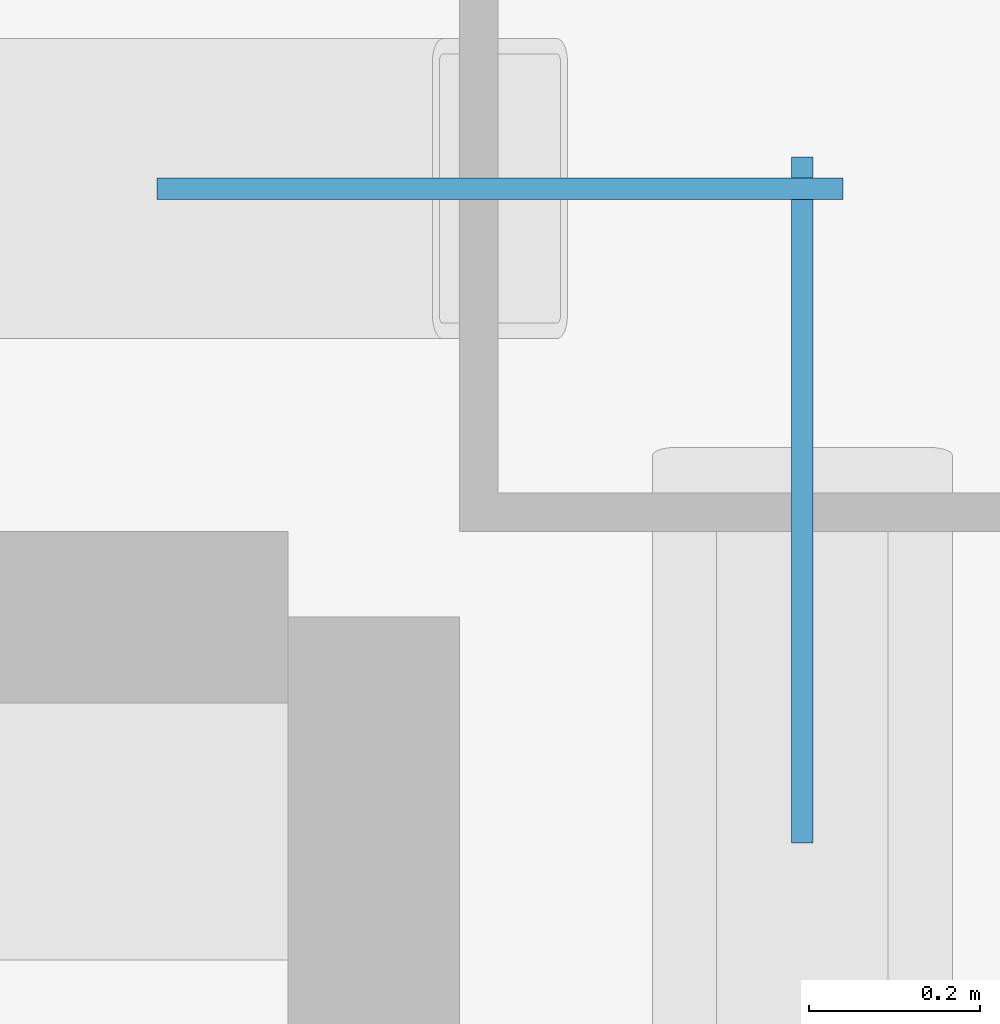
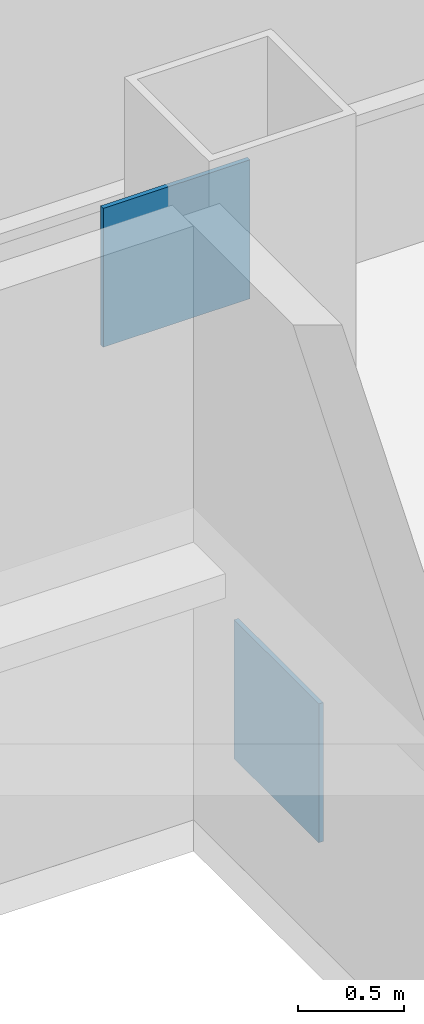
# One storey, part 24 of 26: 2 discrete accessories.
"""IFC4 building model written with IfcOpenShell, lengths in metres."""

from ifc_helpers import new_model, si_unit, direction, frame, origin, origin_2d, place, context, subcontext, project, spatial, rectangle, extrude, material, layer, layer_set, type_object, element, save


model = new_model("IFC4")

# Units and contexts
model_context = context("Model", 3, precision=1e-05, world=origin(), true_north=direction((0.0, 1.0)))
body_context = subcontext(model_context, "Body", "Model", "MODEL_VIEW")
ifc_project = project(units=[si_unit("LENGTHUNIT", "METRE"), si_unit("AREAUNIT", "SQUARE_METRE"), si_unit("VOLUMEUNIT", "CUBIC_METRE"), si_unit("PLANEANGLEUNIT", "RADIAN"), si_unit("MASSUNIT", "GRAM", prefix="KILO")], contexts=[model_context])

# Site, building, storey
site_placement = place(None, origin())
site = spatial("IfcSite", under=ifc_project, at=site_placement, CompositionType="ELEMENT")
building_placement = place(site_placement, origin())
building = spatial("IfcBuilding", under=site, at=building_placement, Name="Sorahane Residences", CompositionType="ELEMENT")
storey_placement = place(building_placement, frame((0.0, 0.0, 151.0)))
storey = spatial("IfcBuildingStorey", under=building, at=storey_placement, Name="L34", CompositionType="ELEMENT", Elevation=151.0)

# Discrete accessories
ifc_material = material(Name="Steel Q355B", Category="steel")
ifc_layer = layer(ifc_material, 0.02490234375)
ifc_layer_set = layer_set([ifc_layer], Name="Node plate Steel Q355B 25")
discrete_accessory_type = type_object("IfcDiscreteAccessoryType", Name="Node plate Steel Q355B 25", PredefinedType="BRACKET", material=ifc_layer_set)
for number, where, z_axis, x_axis, name in (
    (1, (42.0, 45.23681640625, -0.23876953125), (0.0, 0.0, 1.0), (0.0, 1.0, 0.0), "Node plate L34 br"),
    (2, (41.647216796875, 45.60009765625, 2.4189453125), (0.0, 0.0, 1.0), (1.0, 0.0, 0.0), "Node plate L34 br"),
):
    element("IfcDiscreteAccessory", number, at=place(storey_placement, frame(where, z_axis=z_axis, x_axis=x_axis)), inside=storey, type_object=discrete_accessory_type, Name=name, PredefinedType="BRACKET", context=body_context, shape_type="SweptSolid", body=[
        extrude(rectangle(XDim=0.800048828125, YDim=0.02490234375, at=origin_2d()), origin(), (0.0, 0.0, 1.0), 0.800048828125),
    ])

save(model, "model.ifc")
